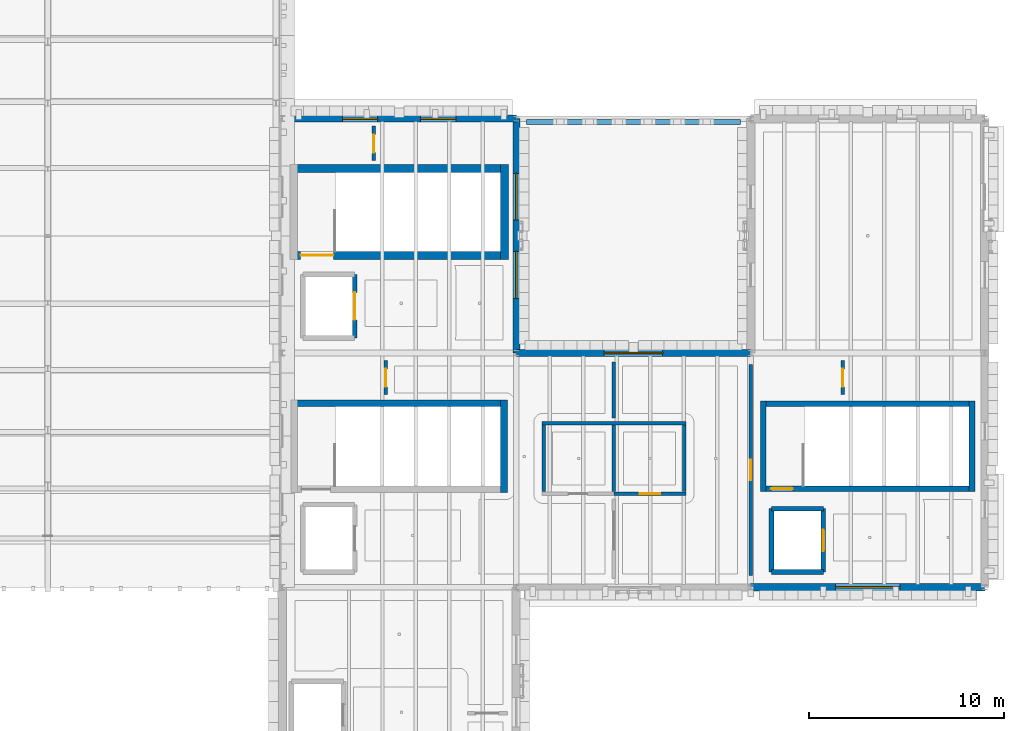
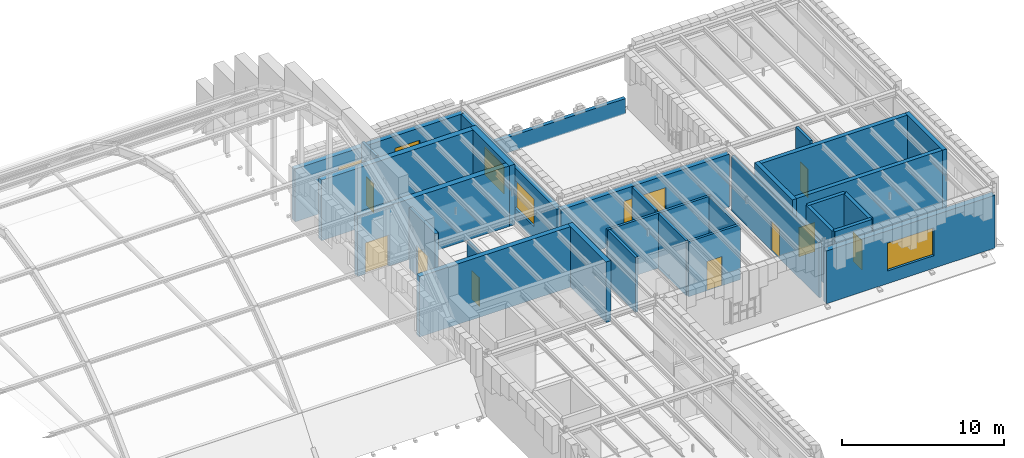
# One storey, part 17 of 35: 29 walls, 9 doors, 6 windows, 15 openings.
"""IFC4 building model written with IfcOpenShell, lengths in metres."""

from ifc_helpers import new_model, si_unit, direction, frame, frame_2d, origin, place, context, subcontext, project, spatial, rectangle, extrude, material, layer, layer_set, type_object, element, fill, save


model = new_model("IFC4")

# Units and contexts
model_context = context("Model", 3, precision=1e-05, world=origin(), true_north=direction((0.0, 1.0)))
body_context = subcontext(model_context, "Body", "Model", "MODEL_VIEW")
ifc_project = project(units=[si_unit("LENGTHUNIT", "METRE"), si_unit("AREAUNIT", "SQUARE_METRE"), si_unit("VOLUMEUNIT", "CUBIC_METRE"), si_unit("PLANEANGLEUNIT", "RADIAN"), si_unit("MASSUNIT", "GRAM", prefix="KILO")], contexts=[model_context])

# Site, building, storey
site_placement = place(None, origin())
site = spatial("IfcSite", under=ifc_project, at=site_placement, CompositionType="ELEMENT")
building_placement = place(site_placement, origin())
building = spatial("IfcBuilding", under=site, at=building_placement, Name="Zlatogorsky Bluff Art Gallery", CompositionType="ELEMENT")
storey_placement = place(building_placement, frame((0.0, 0.0, 23.39990234375)))
storey = spatial("IfcBuildingStorey", under=building, at=storey_placement, Name="L04", CompositionType="ELEMENT", Elevation=23.39990234375)

# Wall, openings, windows
ifc_material_1 = material(Name="Precast concrete C40/50", Category="concrete")
ifc_layer_1 = layer(ifc_material_1, 0.360107421875)
ifc_layer_set_1 = layer_set([ifc_layer_1], Name="Exterior Wall EW-01 360mm")
wall_type_1 = type_object("IfcWallType", Name="Exterior Wall EW-01 360mm", PredefinedType="SOLIDWALL", material=ifc_layer_set_1)
wall_1_placement = place(storey_placement, frame((132.0, 108.0, 0.0), z_axis=(0.0, 0.0, 1.0), x_axis=(-1.0, 0.0, 0.0)))
wall_1 = element("IfcWall", 1, at=wall_1_placement, inside=storey, type_object=wall_type_1, Name="Exterior wall EW-01 L04 N 10.9", PredefinedType="SOLIDWALL", context=body_context, shape_type="SweptSolid", body=[
    extrude(rectangle(XDim=12.0, YDim=0.360107421875, at=frame_2d((6.0, 0.0))), origin(), (0.0, 0.0, 1.0), 3.97998046875),
])
opening_1_placement = place(wall_1_placement, frame((3.10009765625, 0.0, 0.949951171875)))
opening_1 = element("IfcOpeningElement", 2, at=opening_1_placement, cuts=wall_1, Name="Opening WN-31", PredefinedType="OPENING", context=body_context, shape_type="SweptSolid", body=[
    extrude(rectangle(XDim=1.800048828125, YDim=2.10009765625, at=frame_2d((0.89990234375, 1.050048828125))), frame((0.0, 0.18994140625, 0.0), z_axis=(0.0, -1.0, 0.0), x_axis=(1.0, 0.0, 0.0)), (0.0, 0.0, 1.0), 0.380126953125),
])
opening_2_placement = place(wall_1_placement, frame((7.10009765625, 0.0, 0.949951171875)))
opening_2 = element("IfcOpeningElement", 3, at=opening_2_placement, cuts=wall_1, Name="Opening WN-31", PredefinedType="OPENING", context=body_context, shape_type="SweptSolid", body=[
    extrude(rectangle(XDim=1.800048828125, YDim=2.10009765625, at=frame_2d((0.89990234375, 1.050048828125))), frame((0.0, 0.18994140625, 0.0), z_axis=(0.0, -1.0, 0.0), x_axis=(1.0, 0.0, 0.0)), (0.0, 0.0, 1.0), 0.380126953125),
])
ifc_material_2 = material(Name="Bronze-Anodised Aluminium Triple Glazing", Category="aluminium")
window_type_1 = type_object("IfcWindowType", Name="Pointed-Reveal Window WN-31 1800x2100", PartitioningType="SINGLE_PANEL", PredefinedType="WINDOW", material=ifc_material_2)
window_1_placement = place(opening_1_placement, origin())
window_1 = element("IfcWindow", 4, at=window_1_placement, inside=storey, type_object=window_type_1, Name="Window WN-31 L04.N.10.9.1", OverallHeight=2.10009765625, OverallWidth=1.800048828125, PartitioningType="SINGLE_PANEL", PredefinedType="WINDOW", context=body_context, shape_type="SweptSolid", body=[
    extrude(rectangle(XDim=1.800048828125, YDim=2.10009765625, at=frame_2d((0.89990234375, 1.050048828125))), frame((0.0, 0.030029296875, 0.0), z_axis=(0.0, -1.0, 0.0), x_axis=(1.0, 0.0, 0.0)), (0.0, 0.0, 1.0), 0.06005859375),
])
fill(opening_1, window_1)
window_2_placement = place(opening_2_placement, origin())
window_2 = element("IfcWindow", 5, at=window_2_placement, inside=storey, type_object=window_type_1, Name="Window WN-31 L04.N.10.9.2", OverallHeight=2.10009765625, OverallWidth=1.800048828125, PartitioningType="SINGLE_PANEL", PredefinedType="WINDOW", context=body_context, shape_type="SweptSolid", body=[
    extrude(rectangle(XDim=1.800048828125, YDim=2.10009765625, at=frame_2d((0.89990234375, 1.050048828125))), frame((0.0, 0.030029296875, 0.0), z_axis=(0.0, -1.0, 0.0), x_axis=(1.0, 0.0, 0.0)), (0.0, 0.0, 1.0), 0.06005859375),
])
fill(opening_2, window_2)

wall_2_placement = place(storey_placement, frame((132.0, 96.0, 0.0), z_axis=(0.0, 0.0, 1.0), x_axis=(0.0, 1.0, 0.0)))
wall_2 = element("IfcWall", 6, at=wall_2_placement, inside=storey, type_object=wall_type_1, Name="Exterior wall EW-01 L04 E 10.9", PredefinedType="SOLIDWALL", context=body_context, shape_type="SweptSolid", body=[
    extrude(rectangle(XDim=12.0, YDim=0.360107421875, at=frame_2d((6.0, 0.0))), origin(), (0.0, 0.0, 1.0), 3.97998046875),
])
opening_3_placement = place(wall_2_placement, frame((2.800048828125, 0.0, 0.949951171875)))
opening_3 = element("IfcOpeningElement", 7, at=opening_3_placement, cuts=wall_2, Name="Opening WN-33", PredefinedType="OPENING", context=body_context, shape_type="SweptSolid", body=[
    extrude(rectangle(XDim=2.39990234375, YDim=2.10009765625, at=frame_2d((1.199951171875, 1.050048828125))), frame((0.0, 0.18994140625, 0.0), z_axis=(0.0, -1.0, 0.0), x_axis=(1.0, 0.0, 0.0)), (0.0, 0.0, 1.0), 0.380126953125),
])
opening_4_placement = place(wall_2_placement, frame((6.800048828125, 0.0, 0.949951171875)))
opening_4 = element("IfcOpeningElement", 8, at=opening_4_placement, cuts=wall_2, Name="Opening WN-33", PredefinedType="OPENING", context=body_context, shape_type="SweptSolid", body=[
    extrude(rectangle(XDim=2.39990234375, YDim=2.10009765625, at=frame_2d((1.199951171875, 1.050048828125))), frame((0.0, 0.18994140625, 0.0), z_axis=(0.0, -1.0, 0.0), x_axis=(1.0, 0.0, 0.0)), (0.0, 0.0, 1.0), 0.380126953125),
])
window_type_2 = type_object("IfcWindowType", Name="Pointed-Reveal Window WN-33 2400x2100", PartitioningType="SINGLE_PANEL", PredefinedType="WINDOW", material=ifc_material_2)
window_3_placement = place(opening_3_placement, origin())
window_3 = element("IfcWindow", 9, at=window_3_placement, inside=storey, type_object=window_type_2, Name="Window WN-33 L04.E.10.9.1", OverallHeight=2.10009765625, OverallWidth=2.39990234375, PartitioningType="SINGLE_PANEL", PredefinedType="WINDOW", context=body_context, shape_type="SweptSolid", body=[
    extrude(rectangle(XDim=2.39990234375, YDim=2.10009765625, at=frame_2d((1.199951171875, 1.050048828125))), frame((0.0, 0.030029296875, 0.0), z_axis=(0.0, -1.0, 0.0), x_axis=(1.0, 0.0, 0.0)), (0.0, 0.0, 1.0), 0.06005859375),
])
fill(opening_3, window_3)
window_4_placement = place(opening_4_placement, origin())
window_4 = element("IfcWindow", 10, at=window_4_placement, inside=storey, type_object=window_type_2, Name="Window WN-33 L04.E.10.9.2", OverallHeight=2.10009765625, OverallWidth=2.39990234375, PartitioningType="SINGLE_PANEL", PredefinedType="WINDOW", context=body_context, shape_type="SweptSolid", body=[
    extrude(rectangle(XDim=2.39990234375, YDim=2.10009765625, at=frame_2d((1.199951171875, 1.050048828125))), frame((0.0, 0.030029296875, 0.0), z_axis=(0.0, -1.0, 0.0), x_axis=(1.0, 0.0, 0.0)), (0.0, 0.0, 1.0), 0.06005859375),
])
fill(opening_4, window_4)

# Wall, opening, window
wall_3_placement = place(storey_placement, frame((144.0, 96.0, 0.0), z_axis=(0.0, 0.0, 1.0), x_axis=(-1.0, 0.0, 0.0)))
wall_3 = element("IfcWall", 11, at=wall_3_placement, inside=storey, type_object=wall_type_1, Name="Exterior wall EW-01 L04 N 11.8", PredefinedType="SOLIDWALL", context=body_context, shape_type="SweptSolid", body=[
    extrude(rectangle(XDim=12.0, YDim=0.360107421875, at=frame_2d((6.0, 0.0))), origin(), (0.0, 0.0, 1.0), 3.97998046875),
])
opening_5_placement = place(wall_3_placement, frame((4.5, 0.0, 0.949951171875)))
opening_5 = element("IfcOpeningElement", 12, at=opening_5_placement, cuts=wall_3, Name="Opening WN-35", PredefinedType="OPENING", context=body_context, shape_type="SweptSolid", body=[
    extrude(rectangle(XDim=3.0, YDim=2.10009765625, at=frame_2d((1.5, 1.050048828125))), frame((0.0, 0.18994140625, 0.0), z_axis=(0.0, -1.0, 0.0), x_axis=(1.0, 0.0, 0.0)), (0.0, 0.0, 1.0), 0.380126953125),
])
window_type_3 = type_object("IfcWindowType", Name="Pointed-Reveal Window WN-35 3000x2100", PartitioningType="SINGLE_PANEL", PredefinedType="WINDOW", material=ifc_material_2)
window_5_placement = place(opening_5_placement, origin())
window_5 = element("IfcWindow", 13, at=window_5_placement, inside=storey, type_object=window_type_3, Name="Window WN-35 L04.N.11.8.1", OverallHeight=2.10009765625, OverallWidth=3.0, PartitioningType="SINGLE_PANEL", PredefinedType="WINDOW", context=body_context, shape_type="SweptSolid", body=[
    extrude(rectangle(XDim=3.0, YDim=2.10009765625, at=frame_2d((1.5, 1.050048828125))), frame((0.0, 0.030029296875, 0.0), z_axis=(0.0, -1.0, 0.0), x_axis=(1.0, 0.0, 0.0)), (0.0, 0.0, 1.0), 0.06005859375),
])
fill(opening_5, window_5)

ifc_layer_2 = layer(ifc_material_1, 0.39990234375)
ifc_layer_set_2 = layer_set([ifc_layer_2], Name="Exterior Wall EW-02 400mm")
wall_type_2 = type_object("IfcWallType", Name="Exterior Wall EW-02 400mm", PredefinedType="SOLIDWALL", material=ifc_layer_set_2)
wall_4_placement = place(storey_placement, frame((144.0, 84.0, 0.0), z_axis=(0.0, 0.0, 1.0), x_axis=(1.0, 0.0, 0.0)))
wall_4 = element("IfcWall", 14, at=wall_4_placement, inside=storey, type_object=wall_type_2, Name="Exterior wall EW-02 L04 S 12.8", PredefinedType="SOLIDWALL", context=body_context, shape_type="SweptSolid", body=[
    extrude(rectangle(XDim=12.0, YDim=0.39990234375, at=frame_2d((6.0, 0.0))), origin(), (0.0, 0.0, 1.0), 3.97998046875),
])
opening_6_placement = place(wall_4_placement, frame((4.35009765625, 0.0, 0.949951171875)))
opening_6 = element("IfcOpeningElement", 15, at=opening_6_placement, cuts=wall_4, Name="Opening WN-36", PredefinedType="OPENING", context=body_context, shape_type="SweptSolid", body=[
    extrude(rectangle(XDim=3.300048828125, YDim=2.10009765625, at=frame_2d((1.64990234375, 1.050048828125))), frame((0.0, 0.2099609375, 0.0), z_axis=(0.0, -1.0, 0.0), x_axis=(1.0, 0.0, 0.0)), (0.0, 0.0, 1.0), 0.419921875),
])
window_type_4 = type_object("IfcWindowType", Name="Pointed-Reveal Window WN-36 3300x2100", PartitioningType="SINGLE_PANEL", PredefinedType="WINDOW", material=ifc_material_2)
window_6_placement = place(opening_6_placement, origin())
window_6 = element("IfcWindow", 16, at=window_6_placement, inside=storey, type_object=window_type_4, Name="Window WN-36 L04.S.12.8.1", OverallHeight=2.10009765625, OverallWidth=3.300048828125, PartitioningType="SINGLE_PANEL", PredefinedType="WINDOW", context=body_context, shape_type="SweptSolid", body=[
    extrude(rectangle(XDim=3.300048828125, YDim=2.10009765625, at=frame_2d((1.64990234375, 1.050048828125))), frame((0.0, 0.030029296875, 0.0), z_axis=(0.0, -1.0, 0.0), x_axis=(1.0, 0.0, 0.0)), (0.0, 0.0, 1.0), 0.06005859375),
])
fill(opening_6, window_6)

# Walls
ifc_layer_3 = layer(ifc_material_1, 0.260009765625)
ifc_layer_set_3 = layer_set([ifc_layer_3], Name="Exterior Wall PR-W1 260mm")
wall_type_3 = type_object("IfcWallType", Name="Exterior Wall PR-W1 260mm", PredefinedType="PARAPET", material=ifc_layer_set_3)
wall_5_placement = place(storey_placement, frame((132.52001953125, 107.840087890625, 0.0), z_axis=(0.0, 0.0, 1.0), x_axis=(1.0, 0.0, 0.0)))
element("IfcWall", 17, at=wall_5_placement, inside=storey, type_object=wall_type_3, Name="Sandstone roof parapet ROOF-FLAT-L04-01.3", PredefinedType="PARAPET", context=body_context, shape_type="SweptSolid", body=[
    extrude(rectangle(XDim=10.9599609375, YDim=0.260009765625, at=frame_2d((5.47998046875, 0.0))), origin(), (0.0, 0.0, 1.0), 1.150146484375),
])
ifc_material_3 = material(Name="Concrete C30/37", Category="concrete")
ifc_layer_4 = layer(ifc_material_3, 0.179931640625)
ifc_layer_set_4 = layer_set([ifc_layer_4], Name="Interior Wall IW-02 180mm")
wall_type_4 = type_object("IfcWallType", Name="Interior Wall IW-02 180mm", PredefinedType="PARTITIONING", material=ifc_layer_set_4)
wall_6_placement = place(storey_placement, frame((133.31005859375, 92.39990234375, 0.0), z_axis=(0.0, 0.0, 1.0), x_axis=(1.0, 0.0, 0.0)))
element("IfcWall", 18, at=wall_6_placement, inside=storey, type_object=wall_type_4, Name="Restroom enclosure partition IW-L04-WC-N", PredefinedType="PARTITIONING", context=body_context, shape_type="SweptSolid", body=[
    extrude(rectangle(XDim=7.3798828125, YDim=0.179931640625, at=frame_2d((3.68994140625, 0.0))), origin(), (0.0, 0.0, 1.0), 4.14013671875),
])

# Wall, opening, door
wall_7_placement = place(storey_placement, frame((137.0, 88.800048828125, 0.0), z_axis=(0.0, 0.0, 1.0), x_axis=(1.0, 0.0, 0.0)))
wall_7 = element("IfcWall", 19, at=wall_7_placement, inside=storey, type_object=wall_type_4, Name="Restroom enclosure partition IW-L04-WC-S2", PredefinedType="PARTITIONING", context=body_context, shape_type="SweptSolid", body=[
    extrude(rectangle(XDim=3.68994140625, YDim=0.179931640625, at=frame_2d((1.844970703125, 0.0))), origin(), (0.0, 0.0, 1.0), 4.14013671875),
])
opening_7_placement = place(wall_7_placement, frame((1.320068359375, 0.0, 0.0)))
opening_7 = element("IfcOpeningElement", 20, at=opening_7_placement, cuts=wall_7, Name="Opening ID-04", PredefinedType="OPENING", context=body_context, shape_type="SweptSolid", body=[
    extrude(rectangle(XDim=1.050048828125, YDim=2.199951171875, at=frame_2d((0.52490234375, 1.10009765625))), frame((0.0, 0.099853515625, 0.0), z_axis=(0.0, -1.0, 0.0), x_axis=(1.0, 0.0, 0.0)), (0.0, 0.0, 1.0), 0.199951171875),
])
ifc_material_4 = material(Name="Anodised Aluminium and Laminated Timber", Category="wood")
door_type_1 = type_object("IfcDoorType", Name="Interior Door ID-04 1050x2200", OperationType="SINGLE_SWING_LEFT", PredefinedType="DOOR", material=ifc_material_4)
door_1_placement = place(opening_7_placement, origin())
door_1 = element("IfcDoor", 21, at=door_1_placement, inside=storey, type_object=door_type_1, Name="Door ID-04 L04-AWC", OperationType="SINGLE_SWING_LEFT", OverallHeight=2.199951171875, OverallWidth=1.050048828125, PredefinedType="DOOR", context=body_context, shape_type="SweptSolid", body=[
    extrude(rectangle(XDim=1.050048828125, YDim=2.199951171875, at=frame_2d((0.52490234375, 1.10009765625))), frame((0.0, 0.02490234375, 0.0), z_axis=(0.0, -1.0, 0.0), x_axis=(1.0, 0.0, 0.0)), (0.0, 0.0, 1.0), 0.050048828125),
])
fill(opening_7, door_1)

# Walls
for number, where, z_axis, x_axis, name in (
    (22, (133.39990234375, 88.89990234375, 0.0), (0.0, 0.0, 1.0), (0.0, 1.0, 0.0), "Restroom enclosure partition IW-L04-WC-W"),
    (23, (140.60009765625, 88.89990234375, 0.0), (0.0, 0.0, 1.0), (0.0, 1.0, 0.0), "Restroom enclosure partition IW-L04-WC-E"),
    (24, (137.0, 88.89990234375, 0.0), (0.0, 0.0, 1.0), (0.0, 1.0, 0.0), "Restroom enclosure partition IW-L04-WC-M"),
):
    element("IfcWall", number, at=place(storey_placement, frame(where, z_axis=z_axis, x_axis=x_axis)), inside=storey, type_object=wall_type_4, Name=name, PredefinedType="PARTITIONING", context=body_context, shape_type="SweptSolid", body=[
        extrude(rectangle(XDim=3.400146484375, YDim=0.179931640625, at=frame_2d((1.7001953125, 0.0))), origin(), (0.0, 0.0, 1.0), 4.14013671875),
    ])

# Wall, opening, door
wall_8_placement = place(storey_placement, frame((125.304931640625, 93.8701171875, 0.0), z_axis=(0.0, 0.0, 1.0), x_axis=(0.0, 1.0, 0.0)))
wall_8 = element("IfcWall", 25, at=wall_8_placement, inside=storey, type_object=wall_type_4, Name="Partition IW-02 between L04-IM-11 and L04-IM-12", PredefinedType="PARTITIONING", context=body_context, shape_type="SweptSolid", body=[
    extrude(rectangle(XDim=1.75, YDim=0.179931640625, at=frame_2d((0.875, 0.0))), origin(), (0.0, 0.0, 1.0), 4.14013671875),
])
opening_8_placement = place(wall_8_placement, frame((0.39501953125, 0.0, 0.0)))
opening_8 = element("IfcOpeningElement", 26, at=opening_8_placement, cuts=wall_8, Name="Opening ID-01", PredefinedType="OPENING", context=body_context, shape_type="SweptSolid", body=[
    extrude(rectangle(XDim=0.919921875, YDim=2.14990234375, at=frame_2d((0.4599609375, 1.074951171875))), frame((0.0, 0.099853515625, 0.0), z_axis=(0.0, -1.0, 0.0), x_axis=(1.0, 0.0, 0.0)), (0.0, 0.0, 1.0), 0.199951171875),
])
door_type_2 = type_object("IfcDoorType", Name="Interior Door ID-01 920x2150", OperationType="SINGLE_SWING_LEFT", PredefinedType="DOOR", material=ifc_material_4)
door_2_placement = place(opening_8_placement, origin())
door_2 = element("IfcDoor", 27, at=door_2_placement, inside=storey, type_object=door_type_2, Name="Door ID-01 L04-IM-11-L04-IM-12", OperationType="SINGLE_SWING_LEFT", OverallHeight=2.14990234375, OverallWidth=0.919921875, PredefinedType="DOOR", context=body_context, shape_type="SweptSolid", body=[
    extrude(rectangle(XDim=0.919921875, YDim=2.14990234375, at=frame_2d((0.4599609375, 1.074951171875))), frame((0.0, 0.02490234375, 0.0), z_axis=(0.0, -1.0, 0.0), x_axis=(1.0, 0.0, 0.0)), (0.0, 0.0, 1.0), 0.050048828125),
])
fill(opening_8, door_2)

# Wall
wall_9_placement = place(storey_placement, frame((137.0, 92.680908203125, 0.0), z_axis=(0.0, 0.0, 1.0), x_axis=(0.0, 1.0, 0.0)))
element("IfcWall", 28, at=wall_9_placement, inside=storey, type_object=wall_type_4, Name="Partition IW-02 between L04-IM-12 and L04-IM-13-S2", PredefinedType="PARTITIONING", context=body_context, shape_type="SweptSolid", body=[
    extrude(rectangle(XDim=2.869140625, YDim=0.179931640625, at=frame_2d((1.4345703125, 0.0))), origin(), (0.0, 0.0, 1.0), 4.14013671875),
])

# Wall, opening, door
wall_10_placement = place(storey_placement, frame((144.0, 84.594482421875, 0.0), z_axis=(0.0, 0.0, 1.0), x_axis=(0.0, 1.0, 0.0)))
wall_10 = element("IfcWall", 29, at=wall_10_placement, inside=storey, type_object=wall_type_4, Name="Partition IW-02 between L04-IM-13 and L04-SY-11", PredefinedType="PARTITIONING", context=body_context, shape_type="SweptSolid", body=[
    extrude(rectangle(XDim=10.81103515625, YDim=0.179931640625, at=frame_2d((5.405517578125, 0.0))), origin(), (0.0, 0.0, 1.0), 4.150146484375),
])
opening_9_placement = place(wall_10_placement, frame((4.881103515625, 0.0, 0.0)))
opening_9 = element("IfcOpeningElement", 30, at=opening_9_placement, cuts=wall_10, Name="Opening ID-04", PredefinedType="OPENING", context=body_context, shape_type="SweptSolid", body=[
    extrude(rectangle(XDim=1.050048828125, YDim=2.199951171875, at=frame_2d((0.52490234375, 1.10009765625))), frame((0.0, 0.099853515625, 0.0), z_axis=(0.0, -1.0, 0.0), x_axis=(1.0, 0.0, 0.0)), (0.0, 0.0, 1.0), 0.199951171875),
])
door_3_placement = place(opening_9_placement, origin())
door_3 = element("IfcDoor", 31, at=door_3_placement, inside=storey, type_object=door_type_1, Name="Door ID-04 L04-IM-13-L04-SY-11", OperationType="SINGLE_SWING_RIGHT", OverallHeight=2.199951171875, OverallWidth=1.050048828125, PredefinedType="DOOR", context=body_context, shape_type="SweptSolid", body=[
    extrude(rectangle(XDim=1.050048828125, YDim=2.199951171875, at=frame_2d((0.52490234375, 1.10009765625))), frame((0.0, 0.02490234375, 0.0), z_axis=(0.0, -1.0, 0.0), x_axis=(1.0, 0.0, 0.0)), (0.0, 0.0, 1.0), 0.050048828125),
])
fill(opening_9, door_3)

wall_11_placement = place(storey_placement, frame((148.710693359375, 93.8701171875, 0.0), z_axis=(0.0, 0.0, 1.0), x_axis=(0.0, 1.0, 0.0)))
wall_11 = element("IfcWall", 32, at=wall_11_placement, inside=storey, type_object=wall_type_4, Name="Partition IW-02 between L04-SY-11 and L04-SY-12", PredefinedType="PARTITIONING", context=body_context, shape_type="SweptSolid", body=[
    extrude(rectangle(XDim=1.75, YDim=0.179931640625, at=frame_2d((0.875, 0.0))), origin(), (0.0, 0.0, 1.0), 4.5400390625),
])
opening_10_placement = place(wall_11_placement, frame((0.39501953125, 0.0, 0.0)))
opening_10 = element("IfcOpeningElement", 33, at=opening_10_placement, cuts=wall_11, Name="Opening ID-01", PredefinedType="OPENING", context=body_context, shape_type="SweptSolid", body=[
    extrude(rectangle(XDim=0.919921875, YDim=2.14990234375, at=frame_2d((0.4599609375, 1.074951171875))), frame((0.0, 0.099853515625, 0.0), z_axis=(0.0, -1.0, 0.0), x_axis=(1.0, 0.0, 0.0)), (0.0, 0.0, 1.0), 0.199951171875),
])
door_4_placement = place(opening_10_placement, origin())
door_4 = element("IfcDoor", 34, at=door_4_placement, inside=storey, type_object=door_type_2, Name="Door ID-01 L04-SY-11-L04-SY-12", OperationType="SINGLE_SWING_LEFT", OverallHeight=2.14990234375, OverallWidth=0.919921875, PredefinedType="DOOR", context=body_context, shape_type="SweptSolid", body=[
    extrude(rectangle(XDim=0.919921875, YDim=2.14990234375, at=frame_2d((0.4599609375, 1.074951171875))), frame((0.0, 0.02490234375, 0.0), z_axis=(0.0, -1.0, 0.0), x_axis=(1.0, 0.0, 0.0)), (0.0, 0.0, 1.0), 0.050048828125),
])
fill(opening_10, door_4)

wall_12_placement = place(storey_placement, frame((124.710693359375, 105.8701171875, 0.0), z_axis=(0.0, 0.0, 1.0), x_axis=(0.0, 1.0, 0.0)))
wall_12 = element("IfcWall", 35, at=wall_12_placement, inside=storey, type_object=wall_type_4, Name="Partition IW-02 between L04-LB1-11 and L04-LB1-12", PredefinedType="PARTITIONING", context=body_context, shape_type="SweptSolid", body=[
    extrude(rectangle(XDim=1.75, YDim=0.179931640625, at=frame_2d((0.875, 0.0))), origin(), (0.0, 0.0, 1.0), 4.5400390625),
])
opening_11_placement = place(wall_12_placement, frame((0.39501953125, 0.0, 0.0)))
opening_11 = element("IfcOpeningElement", 36, at=opening_11_placement, cuts=wall_12, Name="Opening ID-01", PredefinedType="OPENING", context=body_context, shape_type="SweptSolid", body=[
    extrude(rectangle(XDim=0.919921875, YDim=2.14990234375, at=frame_2d((0.4599609375, 1.074951171875))), frame((0.0, 0.099853515625, 0.0), z_axis=(0.0, -1.0, 0.0), x_axis=(1.0, 0.0, 0.0)), (0.0, 0.0, 1.0), 0.199951171875),
])
door_5_placement = place(opening_11_placement, origin())
door_5 = element("IfcDoor", 37, at=door_5_placement, inside=storey, type_object=door_type_2, Name="Door ID-01 L04-LB1-11-L04-LB1-12", OperationType="SINGLE_SWING_RIGHT", OverallHeight=2.14990234375, OverallWidth=0.919921875, PredefinedType="DOOR", context=body_context, shape_type="SweptSolid", body=[
    extrude(rectangle(XDim=0.919921875, YDim=2.14990234375, at=frame_2d((0.4599609375, 1.074951171875))), frame((0.0, 0.02490234375, 0.0), z_axis=(0.0, -1.0, 0.0), x_axis=(1.0, 0.0, 0.0)), (0.0, 0.0, 1.0), 0.050048828125),
])
fill(opening_11, door_5)

ifc_material_5 = material(Name="Concrete C35/45", Category="concrete")
ifc_layer_5 = layer(ifc_material_5, 0.25)
ifc_layer_set_5 = layer_set([ifc_layer_5], Name="Interior Wall IW-05 250mm")
wall_type_5 = type_object("IfcWallType", Name="Interior Wall IW-05 250mm", PredefinedType="SOLIDWALL", material=ifc_layer_set_5)
wall_13_placement = place(storey_placement, frame((123.72509765625, 96.77490234375, 0.0), z_axis=(0.0, 0.0, 1.0), x_axis=(0.0, 1.0, 0.0)))
wall_13 = element("IfcWall", 38, at=wall_13_placement, inside=storey, type_object=wall_type_5, Name="Lift PL-1 shaft wall L04 E", PredefinedType="SOLIDWALL", context=body_context, shape_type="SweptSolid", body=[
    extrude(rectangle(XDim=3.25, YDim=0.25, at=frame_2d((1.625, 0.0))), origin(), (0.0, 0.0, 1.0), 4.5400390625),
])
opening_12_placement = place(wall_13_placement, frame((0.925048828125, 0.0, 0.0)))
opening_12 = element("IfcOpeningElement", 39, at=opening_12_placement, cuts=wall_13, Name="Opening LD-03", PredefinedType="OPENING", context=body_context, shape_type="SweptSolid", body=[
    extrude(rectangle(XDim=1.39990234375, YDim=2.300048828125, at=frame_2d((0.699951171875, 1.14990234375))), frame((0.0, 0.135009765625, 0.0), z_axis=(0.0, -1.0, 0.0), x_axis=(1.0, 0.0, 0.0)), (0.0, 0.0, 1.0), 0.27001953125),
])
door_type_3 = type_object("IfcDoorType", Name="Interior Door LD-03 1400x2300", OperationType="SLIDING_TO_LEFT", PredefinedType="DOOR", material=ifc_material_4)
door_6_placement = place(opening_12_placement, origin())
door_6 = element("IfcDoor", 40, at=door_6_placement, inside=storey, type_object=door_type_3, Name="Lift PL-1 sliding landing door L04", OperationType="SLIDING_TO_LEFT", OverallHeight=2.300048828125, OverallWidth=1.39990234375, PredefinedType="DOOR", context=body_context, shape_type="SweptSolid", body=[
    extrude(rectangle(XDim=1.39990234375, YDim=2.300048828125, at=frame_2d((0.699951171875, 1.14990234375))), frame((0.0, 0.02490234375, 0.0), z_axis=(0.0, -1.0, 0.0), x_axis=(1.0, 0.0, 0.0)), (0.0, 0.0, 1.0), 0.050048828125),
])
fill(opening_12, door_6)

# Wall
wall_14_placement = place(storey_placement, frame((145.074951171875, 84.77490234375, 0.0), z_axis=(0.0, 0.0, 1.0), x_axis=(1.0, 0.0, 0.0)))
element("IfcWall", 41, at=wall_14_placement, inside=storey, type_object=wall_type_5, Name="Lift PL-2 shaft wall L04 S", PredefinedType="SOLIDWALL", context=body_context, shape_type="SweptSolid", body=[
    extrude(rectangle(XDim=2.650146484375, YDim=0.25, at=frame_2d((1.3251953125, 0.0))), origin(), (0.0, 0.0, 1.0), 4.5400390625),
])

# Wall, opening, door
wall_15_placement = place(storey_placement, frame((147.72509765625, 84.77490234375, 0.0), z_axis=(0.0, 0.0, 1.0), x_axis=(0.0, 1.0, 0.0)))
wall_15 = element("IfcWall", 42, at=wall_15_placement, inside=storey, type_object=wall_type_5, Name="Lift PL-2 shaft wall L04 E", PredefinedType="SOLIDWALL", context=body_context, shape_type="SweptSolid", body=[
    extrude(rectangle(XDim=3.25, YDim=0.25, at=frame_2d((1.625, 0.0))), origin(), (0.0, 0.0, 1.0), 4.5400390625),
])
opening_13_placement = place(wall_15_placement, frame((1.074951171875, 0.0, 0.0)))
opening_13 = element("IfcOpeningElement", 43, at=opening_13_placement, cuts=wall_15, Name="Opening LD-01", PredefinedType="OPENING", context=body_context, shape_type="SweptSolid", body=[
    extrude(rectangle(XDim=1.10009765625, YDim=2.199951171875, at=frame_2d((0.550048828125, 1.10009765625))), frame((0.0, 0.135009765625, 0.0), z_axis=(0.0, -1.0, 0.0), x_axis=(1.0, 0.0, 0.0)), (0.0, 0.0, 1.0), 0.27001953125),
])
door_type_4 = type_object("IfcDoorType", Name="Interior Door LD-01 1100x2200", OperationType="SLIDING_TO_LEFT", PredefinedType="DOOR", material=ifc_material_4)
door_7_placement = place(opening_13_placement, origin())
door_7 = element("IfcDoor", 44, at=door_7_placement, inside=storey, type_object=door_type_4, Name="Lift PL-2 sliding landing door L04", OperationType="SLIDING_TO_LEFT", OverallHeight=2.199951171875, OverallWidth=1.10009765625, PredefinedType="DOOR", context=body_context, shape_type="SweptSolid", body=[
    extrude(rectangle(XDim=1.10009765625, YDim=2.199951171875, at=frame_2d((0.550048828125, 1.10009765625))), frame((0.0, 0.02490234375, 0.0), z_axis=(0.0, -1.0, 0.0), x_axis=(1.0, 0.0, 0.0)), (0.0, 0.0, 1.0), 0.050048828125),
])
fill(opening_13, door_7)

# Walls
wall_16_placement = place(storey_placement, frame((147.72509765625, 88.02490234375, 0.0), z_axis=(0.0, 0.0, 1.0), x_axis=(-1.0, 0.0, 0.0)))
element("IfcWall", 45, at=wall_16_placement, inside=storey, type_object=wall_type_5, Name="Lift PL-2 shaft wall L04 N", PredefinedType="SOLIDWALL", context=body_context, shape_type="SweptSolid", body=[
    extrude(rectangle(XDim=2.650146484375, YDim=0.25, at=frame_2d((1.3251953125, 0.0))), origin(), (0.0, 0.0, 1.0), 4.5400390625),
])
wall_17_placement = place(storey_placement, frame((145.074951171875, 88.02490234375, 0.0), z_axis=(0.0, 0.0, 1.0), x_axis=(0.0, -1.0, 0.0)))
element("IfcWall", 46, at=wall_17_placement, inside=storey, type_object=wall_type_5, Name="Lift PL-2 shaft wall L04 W", PredefinedType="SOLIDWALL", context=body_context, shape_type="SweptSolid", body=[
    extrude(rectangle(XDim=3.25, YDim=0.25, at=frame_2d((1.625, 0.0))), origin(), (0.0, 0.0, 1.0), 4.5400390625),
])

# Wall, opening, door
ifc_layer_6 = layer(ifc_material_5, 0.300048828125)
ifc_layer_set_6 = layer_set([ifc_layer_6], Name="Interior Wall SW-01 300mm")
wall_type_6 = type_object("IfcWallType", Name="Interior Wall SW-01 300mm", PredefinedType="SHEAR", material=ifc_layer_set_6)
wall_18_placement = place(storey_placement, frame((144.5, 89.050048828125, 0.0), z_axis=(0.0, 0.0, 1.0), x_axis=(1.0, 0.0, 0.0)))
wall_18 = element("IfcWall", 47, at=wall_18_placement, inside=storey, type_object=wall_type_6, Name="Stair ST-04 enclosure wall L04 W0", PredefinedType="SHEAR", context=body_context, shape_type="SweptSolid", body=[
    extrude(rectangle(XDim=11.0, YDim=0.300048828125, at=frame_2d((5.5, 0.0))), origin(), (0.0, 0.0, 1.0), 4.56005859375),
])
opening_14_placement = place(wall_18_placement, frame((0.550048828125, 0.0, 0.0)))
opening_14 = element("IfcOpeningElement", 48, at=opening_14_placement, cuts=wall_18, Name="Opening FD-01", PredefinedType="OPENING", context=body_context, shape_type="SweptSolid", body=[
    extrude(rectangle(XDim=1.1201171875, YDim=2.199951171875, at=frame_2d((0.56005859375, 1.10009765625))), frame((0.0, 0.159912109375, 0.0), z_axis=(0.0, -1.0, 0.0), x_axis=(1.0, 0.0, 0.0)), (0.0, 0.0, 1.0), 0.320068359375),
])
door_type_5 = type_object("IfcDoorType", Name="Interior Door FD-01 1120x2200", OperationType="SINGLE_SWING_LEFT", PredefinedType="DOOR", material=ifc_material_4)
door_8_placement = place(opening_14_placement, origin())
door_8 = element("IfcDoor", 49, at=door_8_placement, inside=storey, type_object=door_type_5, Name="Stair ST-04 fire door L04", OperationType="SINGLE_SWING_LEFT", OverallHeight=2.199951171875, OverallWidth=1.1201171875, PredefinedType="DOOR", context=body_context, shape_type="SweptSolid", body=[
    extrude(rectangle(XDim=1.1201171875, YDim=2.199951171875, at=frame_2d((0.56005859375, 1.10009765625))), frame((0.0, 0.02490234375, 0.0), z_axis=(0.0, -1.0, 0.0), x_axis=(1.0, 0.0, 0.0)), (0.0, 0.0, 1.0), 0.050048828125),
])
fill(opening_14, door_8)

# Walls
wall_19_placement = place(storey_placement, frame((155.35009765625, 88.89990234375, 0.0), z_axis=(0.0, 0.0, 1.0), x_axis=(0.0, 1.0, 0.0)))
element("IfcWall", 50, at=wall_19_placement, inside=storey, type_object=wall_type_6, Name="Stair ST-04 enclosure wall L04 FEND", PredefinedType="SHEAR", context=body_context, shape_type="SweptSolid", body=[
    extrude(rectangle(XDim=4.650146484375, YDim=0.300048828125, at=frame_2d((2.3251953125, 0.0))), origin(), (0.0, 0.0, 1.0), 4.56005859375),
])
wall_20_placement = place(storey_placement, frame((155.5, 93.39990234375, 0.0), z_axis=(0.0, 0.0, 1.0), x_axis=(-1.0, 0.0, 0.0)))
element("IfcWall", 51, at=wall_20_placement, inside=storey, type_object=wall_type_6, Name="Stair ST-04 enclosure wall L04 W1", PredefinedType="SHEAR", context=body_context, shape_type="SweptSolid", body=[
    extrude(rectangle(XDim=11.0, YDim=0.300048828125, at=frame_2d((5.5, 0.0))), origin(), (0.0, 0.0, 1.0), 4.56005859375),
])
wall_21_placement = place(storey_placement, frame((144.64990234375, 93.550048828125, 0.0), z_axis=(0.0, 0.0, 1.0), x_axis=(0.0, -1.0, 0.0)))
element("IfcWall", 52, at=wall_21_placement, inside=storey, type_object=wall_type_6, Name="Stair ST-04 enclosure wall L04 LEND", PredefinedType="SHEAR", context=body_context, shape_type="SweptSolid", body=[
    extrude(rectangle(XDim=4.650146484375, YDim=0.300048828125, at=frame_2d((2.3251953125, 0.0))), origin(), (0.0, 0.0, 1.0), 4.56005859375),
])
ifc_layer_7 = layer(ifc_material_5, 0.35009765625)
ifc_layer_set_7 = layer_set([ifc_layer_7], Name="Interior Wall SW-02 350mm")
wall_type_7 = type_object("IfcWallType", Name="Interior Wall SW-02 350mm", PredefinedType="SHEAR", material=ifc_layer_set_7)
wall_22_placement = place(storey_placement, frame((131.375, 88.85009765625, 0.0), z_axis=(0.0, 0.0, 1.0), x_axis=(0.0, 1.0, 0.0)))
element("IfcWall", 53, at=wall_22_placement, inside=storey, type_object=wall_type_7, Name="Stair ST-02 enclosure wall L04 FEND", PredefinedType="SHEAR", context=body_context, shape_type="SweptSolid", body=[
    extrude(rectangle(XDim=4.75, YDim=0.35009765625, at=frame_2d((2.375, 0.0))), origin(), (0.0, 0.0, 1.0), 4.56005859375),
])
wall_23_placement = place(storey_placement, frame((131.550048828125, 93.425048828125, 0.0), z_axis=(0.0, 0.0, 1.0), x_axis=(-1.0, 0.0, 0.0)))
element("IfcWall", 54, at=wall_23_placement, inside=storey, type_object=wall_type_7, Name="Stair ST-02 enclosure wall L04 W1", PredefinedType="SHEAR", context=body_context, shape_type="SweptSolid", body=[
    extrude(rectangle(XDim=11.10009765625, YDim=0.35009765625, at=frame_2d((5.550048828125, 0.0))), origin(), (0.0, 0.0, 1.0), 4.56005859375),
])

# Wall, opening, door
ifc_layer_8 = layer(ifc_material_5, 0.39990234375)
ifc_layer_set_8 = layer_set([ifc_layer_8], Name="Interior Wall SW-03 400mm")
wall_type_8 = type_object("IfcWallType", Name="Interior Wall SW-03 400mm", PredefinedType="SHEAR", material=ifc_layer_set_8)
wall_24_placement = place(storey_placement, frame((120.39990234375, 101.0, 0.0), z_axis=(0.0, 0.0, 1.0), x_axis=(1.0, 0.0, 0.0)))
wall_24 = element("IfcWall", 55, at=wall_24_placement, inside=storey, type_object=wall_type_8, Name="Stair ST-03 enclosure wall L04 W0", PredefinedType="SHEAR", context=body_context, shape_type="SweptSolid", body=[
    extrude(rectangle(XDim=11.2001953125, YDim=0.39990234375, at=frame_2d((5.60009765625, 0.0))), origin(), (0.0, 0.0, 1.0), 4.56005859375),
])
opening_15_placement = place(wall_24_placement, frame((0.550048828125, 0.0, 0.0)))
opening_15 = element("IfcOpeningElement", 56, at=opening_15_placement, cuts=wall_24, Name="Opening FD-04", PredefinedType="OPENING", context=body_context, shape_type="SweptSolid", body=[
    extrude(rectangle(XDim=1.679931640625, YDim=2.35009765625, at=frame_2d((0.83984375, 1.175048828125))), frame((0.0, 0.2099609375, 0.0), z_axis=(0.0, -1.0, 0.0), x_axis=(1.0, 0.0, 0.0)), (0.0, 0.0, 1.0), 0.419921875),
])
door_type_6 = type_object("IfcDoorType", Name="Interior Door FD-04 1680x2350", OperationType="DOUBLE_DOOR_SINGLE_SWING", PredefinedType="DOOR", material=ifc_material_4)
door_9_placement = place(opening_15_placement, origin())
door_9 = element("IfcDoor", 57, at=door_9_placement, inside=storey, type_object=door_type_6, Name="Stair ST-03 fire door L04", OperationType="DOUBLE_DOOR_SINGLE_SWING", OverallHeight=2.35009765625, OverallWidth=1.679931640625, PredefinedType="DOOR", context=body_context, shape_type="SweptSolid", body=[
    extrude(rectangle(XDim=1.679931640625, YDim=2.35009765625, at=frame_2d((0.83984375, 1.175048828125))), frame((0.0, 0.02490234375, 0.0), z_axis=(0.0, -1.0, 0.0), x_axis=(1.0, 0.0, 0.0)), (0.0, 0.0, 1.0), 0.050048828125),
])
fill(opening_15, door_9)

# Walls
wall_25_placement = place(storey_placement, frame((131.39990234375, 100.800048828125, 0.0), z_axis=(0.0, 0.0, 1.0), x_axis=(0.0, 1.0, 0.0)))
element("IfcWall", 58, at=wall_25_placement, inside=storey, type_object=wall_type_8, Name="Stair ST-03 enclosure wall L04 FEND", PredefinedType="SHEAR", context=body_context, shape_type="SweptSolid", body=[
    extrude(rectangle(XDim=4.849853515625, YDim=0.39990234375, at=frame_2d((2.4248046875, 0.0))), origin(), (0.0, 0.0, 1.0), 4.56005859375),
])
wall_26_placement = place(storey_placement, frame((131.60009765625, 105.449951171875, 0.0), z_axis=(0.0, 0.0, 1.0), x_axis=(-1.0, 0.0, 0.0)))
element("IfcWall", 59, at=wall_26_placement, inside=storey, type_object=wall_type_8, Name="Stair ST-03 enclosure wall L04 W1", PredefinedType="SHEAR", context=body_context, shape_type="SweptSolid", body=[
    extrude(rectangle(XDim=11.2001953125, YDim=0.39990234375, at=frame_2d((5.60009765625, 0.0))), origin(), (0.0, 0.0, 1.0), 4.56005859375),
])

save(model, "model.ifc")
